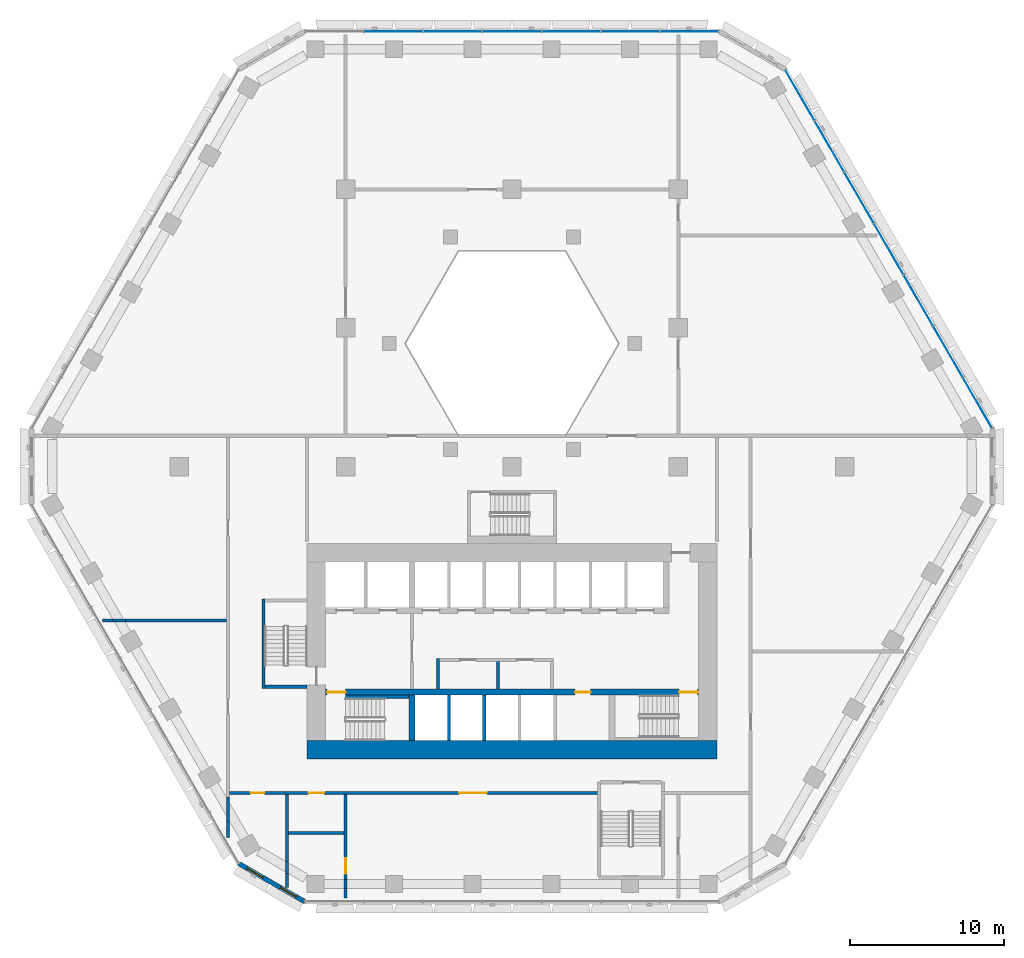
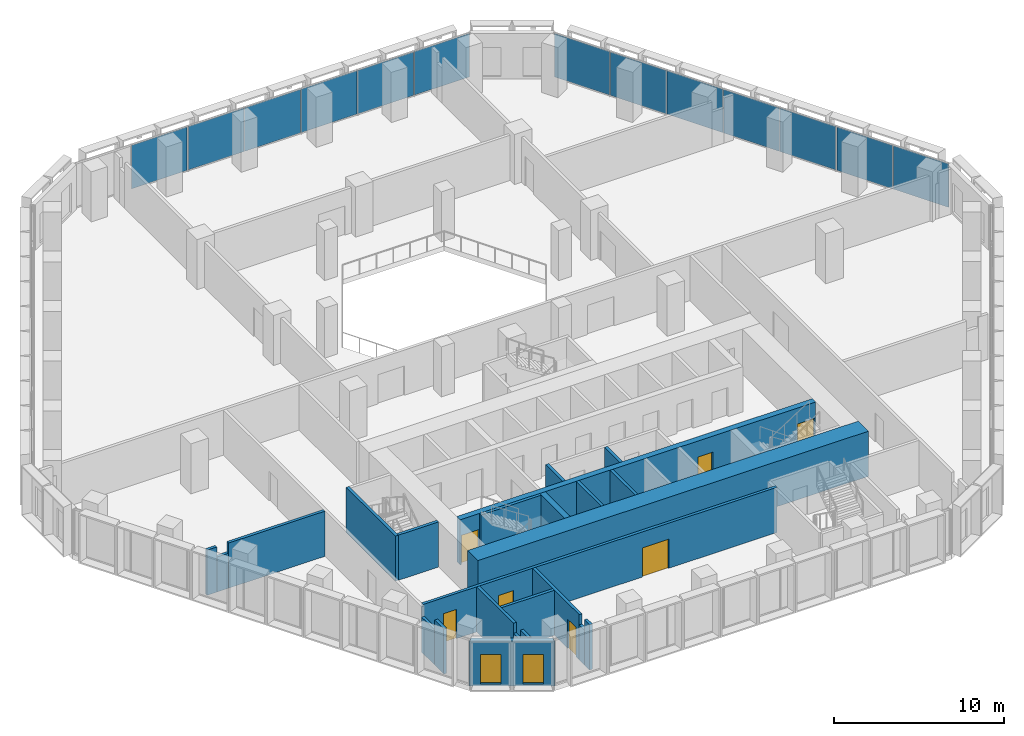
# One storey, part 11 of 25: 24 walls, 13 plates, 7 doors, 2 windows, 9 openings, 2 elements without a shape of their own.
"""IFC4 building model written with IfcOpenShell, lengths in metres."""

import ifcopenshell
import ifcopenshell.guid

model = None  # the IFC model being written
_history = None  # IfcOwnerHistory: only IFC2X3 demands one
_inside = {}  # id of a spatial element -> (the spatial element, [elements in it])
_under = {}  # id of a project, library or spatial element -> (it, [spatial elements below it])
_declared = {}  # id of a project -> (the project, [libraries it declares])
_typed = {}  # id of a type object -> (the type object, [elements of that type])
_made_of = {}  # id of a material, layer set ... -> (it, [elements and type objects made of it])


def new_model(schema):
    """Start an empty IFC model of exactly this schema.

    Asked for "IFC4X3", IfcOpenShell would pick the latest addendum, in which some entities
    have other attributes; the version numbers below select the first issue.
    IFC2X3 requires an IfcOwnerHistory on every rooted entity: one is made here for all.
    """
    global model, _history
    if schema == "IFC4X3":
        model = ifcopenshell.file(schema_version=(4, 3, 0, 0))
    else:
        model = ifcopenshell.file(schema=schema)
    _inside.clear()
    _under.clear()
    _declared.clear()
    _typed.clear()
    _made_of.clear()
    _history = None
    if model.schema == "IFC2X3":
        org = make("IfcOrganization", Name="unknown")
        user = make(
            "IfcPersonAndOrganization",
            ThePerson=make("IfcPerson", FamilyName="unknown"),
            TheOrganization=org,
        )
        app = make(
            "IfcApplication",
            ApplicationDeveloper=org,
            Version="unknown",
            ApplicationFullName="unknown",
            ApplicationIdentifier="unknown",
        )
        _history = make(
            "IfcOwnerHistory",
            OwningUser=user,
            OwningApplication=app,
            ChangeAction="ADDED",
            CreationDate=0,
        )
    return model


def make(cls, **values):
    """One entity of the class cls with the attributes given. An attribute that is None is left unset."""
    return model.create_entity(
        cls, **{name: value for name, value in values.items() if value is not None}
    )


def rooted(cls, **values):
    """An entity with a GlobalId (a new one), such as an element, a storey or a relation."""
    return make(cls, GlobalId=ifcopenshell.guid.new(), OwnerHistory=_history, **values)


def si_unit(unit_type, name, prefix=None):
    """IfcSIUnit, for example si_unit("LENGTHUNIT", "METRE", prefix="MILLI")."""
    return make("IfcSIUnit", UnitType=unit_type, Prefix=prefix, Name=name)


def assignment(units):
    """IfcUnitAssignment: the units of a project."""
    return None if units is None else make("IfcUnitAssignment", Units=units)


def point(xyz):
    """IfcCartesianPoint."""
    return None if xyz is None else make("IfcCartesianPoint", Coordinates=xyz)


def direction(xyz):
    """IfcDirection."""
    return None if xyz is None else make("IfcDirection", DirectionRatios=xyz)


def frame(location, z_axis=None, x_axis=None):
    """IfcAxis2Placement3D, a coordinate frame: its origin and axes. An axis left out is left unset."""
    return make(
        "IfcAxis2Placement3D",
        Location=point(location),
        Axis=direction(z_axis),
        RefDirection=direction(x_axis),
    )


def frame_2d(location, x_axis=None):
    """IfcAxis2Placement2D, a coordinate frame in the plane: its origin and x axis."""
    return make(
        "IfcAxis2Placement2D", Location=point(location), RefDirection=direction(x_axis)
    )


def origin():
    """The frame at (0, 0, 0) with its axes left unset."""
    return frame((0.0, 0.0, 0.0))


def origin_2d():
    """The frame at (0, 0) in the plane with its x axis left unset."""
    return frame_2d((0.0, 0.0))


def place(relative_to, where):
    """IfcLocalPlacement: puts the frame where relative to a parent placement (None: the world)."""
    return make(
        "IfcLocalPlacement", PlacementRelTo=relative_to, RelativePlacement=where
    )


def context(
    kind, dimensions, precision=None, world=None, true_north=None, identifier=None
):
    """IfcGeometricRepresentationContext, for example the 3D "Model" context."""
    return make(
        "IfcGeometricRepresentationContext",
        ContextIdentifier=identifier,
        ContextType=kind,
        CoordinateSpaceDimension=dimensions,
        Precision=precision,
        WorldCoordinateSystem=world,
        TrueNorth=true_north,
    )


def subcontext(parent, identifier, kind, view, scale=None):
    """IfcGeometricRepresentationSubContext, for example "Body" below "Model"."""
    return make(
        "IfcGeometricRepresentationSubContext",
        ContextIdentifier=identifier,
        ContextType=kind,
        ParentContext=parent,
        TargetScale=scale,
        TargetView=view,
    )


def project(units=None, contexts=None):
    """IfcProject with its units and contexts."""
    return rooted(
        "IfcProject",
        Name="project",
        RepresentationContexts=contexts,
        UnitsInContext=assignment(units),
    )


def spatial(cls, under=None, at=None, **own):
    """A site, building, storey or space (cls), placed at a placement, below another one or the project."""
    s = rooted(cls, ObjectPlacement=at, **own)
    if under is not None:
        _under.setdefault(under.id(), (under, []))[1].append(s)
    return s


def polyline(points):
    """IfcPolyline through the points."""
    return make("IfcPolyline", Points=[point(p) for p in points])


def profile(cls, at=None, kind="AREA", **sizes):
    """A parametric profile (cls). Its sizes go by their IFC names, for example OverallWidth=200.0."""
    return make(cls, ProfileType=kind, Position=at, **sizes)


def rectangle(**sizes):
    """IfcRectangleProfileDef."""
    return profile("IfcRectangleProfileDef", **sizes)


def outline(outer, holes=None, kind="AREA"):
    """IfcArbitraryClosedProfileDef: a profile drawn as a closed curve; with holes, ...WithVoids."""
    if holes is None:
        return make("IfcArbitraryClosedProfileDef", ProfileType=kind, OuterCurve=outer)
    return make(
        "IfcArbitraryProfileDefWithVoids",
        ProfileType=kind,
        OuterCurve=outer,
        InnerCurves=holes,
    )


def extrude(swept, where, along, depth):
    """IfcExtrudedAreaSolid: the profile swept, set in the frame where, extruded along a direction by depth."""
    return make(
        "IfcExtrudedAreaSolid",
        SweptArea=swept,
        Position=where,
        ExtrudedDirection=direction(along),
        Depth=depth,
    )


def shape(context_of_items, identifier, shape_type, items):
    """IfcShapeRepresentation: the items that make up one representation, for example the "Body"."""
    return make(
        "IfcShapeRepresentation",
        ContextOfItems=context_of_items,
        RepresentationIdentifier=identifier,
        RepresentationType=shape_type,
        Items=items,
    )


def material(Name=None, Category=None):
    """IfcMaterial."""
    return make("IfcMaterial", Name=Name, Category=Category)


def layer(
    of_material, thickness, ventilated=None, Name=None, Category=None, Priority=None
):
    """IfcMaterialLayer: one layer of a wall or slab, of a material (None: an air gap)."""
    return make(
        "IfcMaterialLayer",
        Material=of_material,
        LayerThickness=thickness,
        IsVentilated=ventilated,
        Name=Name,
        Category=Category,
        Priority=Priority,
    )


def layer_set(layers, Name=None):
    """IfcMaterialLayerSet."""
    return make("IfcMaterialLayerSet", MaterialLayers=layers, LayerSetName=Name)


def made_of(thing, what):
    """Note that an element or type object is made of a material, layer set ...; save() writes the relation."""
    if what is not None:
        _made_of.setdefault(what.id(), (what, []))[1].append(thing)
    return thing


def type_object(cls, material=None, **own):
    """A type object (cls), such as IfcWallType, which elements share."""
    return made_of(rooted(cls, **own), material)


def element(
    cls,
    number,
    at=None,
    inside=None,
    cuts=None,
    type_object=None,
    material=None,
    context=None,
    identifier="Body",
    shape_type=None,
    held_by="IfcProductDefinitionShape",
    body=None,
    shapes=None,
    **own,
):
    """One element of the class cls, such as IfcWall. Its Tag is "e" and its number.

    at: its placement. inside: the storey or other place that contains it. cuts: it is an
    opening in that element (IfcRelVoidsElement). A single representation is given by context,
    identifier, shape_type and body (its items); several are given by shapes. held_by: the class
    of the entity that holds the representations. save() writes the other relations.
    """
    e = rooted(cls, Tag="e%d" % number, ObjectPlacement=at, **own)
    if body is not None:
        shapes = [shape(context, identifier, shape_type, body)]
    if shapes is not None:
        e.Representation = make(held_by, Representations=shapes)
    if inside is not None:
        _inside.setdefault(inside.id(), (inside, []))[1].append(e)
    if cuts is not None:
        rooted(
            "IfcRelVoidsElement", RelatingBuildingElement=cuts, RelatedOpeningElement=e
        )
    if type_object is not None:
        _typed.setdefault(type_object.id(), (type_object, []))[1].append(e)
    return made_of(e, material)


def fill(opening, filler):
    """IfcRelFillsElement: the door or window that sits in an opening."""
    return rooted(
        "IfcRelFillsElement",
        RelatingOpeningElement=opening,
        RelatedBuildingElement=filler,
    )


def aggregate(whole, parts):
    """IfcRelAggregates: a whole, such as a stair, and the parts it consists of."""
    return rooted("IfcRelAggregates", RelatingObject=whole, RelatedObjects=parts)


def save(model, path):
    """Write the relations noted so far, then the file.

    IfcRelAggregates (storeys below a building ...), IfcRelContainedInSpatialStructure (elements
    in a storey), IfcRelDefinesByType, IfcRelAssociatesMaterial and IfcRelDeclares: one each for
    every whole, place, type object, material and project.
    """
    for whole, parts in _under.values():
        aggregate(whole, parts)
    for where, things in _inside.values():
        rooted(
            "IfcRelContainedInSpatialStructure",
            RelatedElements=things,
            RelatingStructure=where,
        )
    for kind, things in _typed.values():
        rooted("IfcRelDefinesByType", RelatedObjects=things, RelatingType=kind)
    for what, things in _made_of.values():
        rooted("IfcRelAssociatesMaterial", RelatedObjects=things, RelatingMaterial=what)
    for by, libraries in _declared.values():
        rooted("IfcRelDeclares", RelatingContext=by, RelatedDefinitions=libraries)
    model.write(path)


model = new_model("IFC4")

# Units and contexts
model_context = context("Model", 3, precision=1e-05, world=origin(), true_north=direction((0.0, 1.0)))
body_context = subcontext(model_context, "Body", "Model", "MODEL_VIEW")
ifc_project = project(units=[si_unit("LENGTHUNIT", "METRE"), si_unit("AREAUNIT", "SQUARE_METRE"), si_unit("VOLUMEUNIT", "CUBIC_METRE"), si_unit("PLANEANGLEUNIT", "RADIAN"), si_unit("MASSUNIT", "GRAM", prefix="KILO")], contexts=[model_context])

# Site, building, storey
site_placement = place(None, origin())
site = spatial("IfcSite", under=ifc_project, at=site_placement, CompositionType="ELEMENT")
building_placement = place(site_placement, origin())
building = spatial("IfcBuilding", under=site, at=building_placement, Name="Beryl Residences", CompositionType="ELEMENT")
storey_placement = place(building_placement, frame((0.0, 0.0, 16.199951171875)))
storey = spatial("IfcBuildingStorey", under=building, at=storey_placement, Name="L04", CompositionType="ELEMENT", Elevation=16.199951171875)

# Curtain wall, plates
ifc_material_1 = material(Name="Aluminium and clear glass", Category="aluminium")
curtain_wall_type = type_object("IfcCurtainWallType", Name="CW2 amenity glazing glazed wall", PredefinedType="NOTDEFINED", material=ifc_material_1)
curtain_wall_1_placement = place(storey_placement, origin())
curtain_wall_1 = element("IfcCurtainWall", 1, at=curtain_wall_1_placement, inside=storey, type_object=curtain_wall_type, Name="CW2 L04 N", PredefinedType="NOTDEFINED")
ifc_material_2 = material(Name="Clear laminated glass", Category="glass")
ifc_layer_1 = layer(ifc_material_2, 0.028076171875)
ifc_layer_set_1 = layer_set([ifc_layer_1], Name="CW2-P glazing panel 28 mm")
plate_type = type_object("IfcPlateType", Name="CW2-P glazing panel 28 mm", PredefinedType="CURTAIN_PANEL", material=ifc_layer_set_1)
plate_1_placement = place(storey_placement, frame((11.53076171875, 28.25, 0.06005859375), z_axis=(0.0, 0.0, 1.0), x_axis=(-1.0, 0.0, 0.0)))
plate_1 = element("IfcPlate", 2, at=plate_1_placement, type_object=plate_type, Name="CW2 panel 1.1", PredefinedType="CURTAIN_PANEL", context=body_context, shape_type="SweptSolid", body=[
    extrude(rectangle(XDim=3.758544921875, YDim=0.028076171875, at=origin_2d()), origin(), (0.0, 0.0, 1.0), 3.1298828125),
])
plate_2_placement = place(storey_placement, frame((7.697021484375, 28.25, 0.06005859375), z_axis=(0.0, 0.0, 1.0), x_axis=(-1.0, 0.0, 0.0)))
plate_2 = element("IfcPlate", 3, at=plate_2_placement, type_object=plate_type, Name="CW2 panel 2.1", PredefinedType="CURTAIN_PANEL", context=body_context, shape_type="SweptSolid", body=[
    extrude(rectangle(XDim=3.78857421875, YDim=0.028076171875, at=origin_2d()), origin(), (0.0, 0.0, 1.0), 3.1298828125),
])
plate_3_placement = place(storey_placement, frame((3.8486328125, 28.25, 0.06005859375), z_axis=(0.0, 0.0, 1.0), x_axis=(-1.0, 0.0, 0.0)))
plate_3 = element("IfcPlate", 4, at=plate_3_placement, type_object=plate_type, Name="CW2 panel 3.1", PredefinedType="CURTAIN_PANEL", context=body_context, shape_type="SweptSolid", body=[
    extrude(rectangle(XDim=3.78857421875, YDim=0.028076171875, at=origin_2d()), origin(), (0.0, 0.0, 1.0), 3.1298828125),
])
plate_4_placement = place(storey_placement, frame((0.0, 28.25, 0.06005859375), z_axis=(0.0, 0.0, 1.0), x_axis=(-1.0, 0.0, 0.0)))
plate_4 = element("IfcPlate", 5, at=plate_4_placement, type_object=plate_type, Name="CW2 panel 4.1", PredefinedType="CURTAIN_PANEL", context=body_context, shape_type="SweptSolid", body=[
    extrude(rectangle(XDim=3.78857421875, YDim=0.028076171875, at=origin_2d()), origin(), (0.0, 0.0, 1.0), 3.1298828125),
])
plate_5_placement = place(storey_placement, frame((-3.8486328125, 28.25, 0.06005859375), z_axis=(0.0, 0.0, 1.0), x_axis=(-1.0, 0.0, 0.0)))
plate_5 = element("IfcPlate", 6, at=plate_5_placement, type_object=plate_type, Name="CW2 panel 5.1", PredefinedType="CURTAIN_PANEL", context=body_context, shape_type="SweptSolid", body=[
    extrude(rectangle(XDim=3.78857421875, YDim=0.028076171875, at=origin_2d()), origin(), (0.0, 0.0, 1.0), 3.1298828125),
])
plate_6_placement = place(storey_placement, frame((-7.697021484375, 28.25, 0.06005859375), z_axis=(0.0, 0.0, 1.0), x_axis=(-1.0, 0.0, 0.0)))
plate_6 = element("IfcPlate", 7, at=plate_6_placement, type_object=plate_type, Name="CW2 panel 6.1", PredefinedType="CURTAIN_PANEL", context=body_context, shape_type="SweptSolid", body=[
    extrude(rectangle(XDim=3.78857421875, YDim=0.028076171875, at=origin_2d()), origin(), (0.0, 0.0, 1.0), 3.1298828125),
])
aggregate(curtain_wall_1, [plate_1, plate_2, plate_3, plate_4, plate_5, plate_6])

curtain_wall_2_placement = place(storey_placement, origin())
curtain_wall_2 = element("IfcCurtainWall", 8, at=curtain_wall_2_placement, inside=storey, type_object=curtain_wall_type, Name="CW2 L04 NE", PredefinedType="NOTDEFINED")
plate_7_placement = place(storey_placement, frame((30.23046875, 4.139404296875, 0.06005859375), z_axis=(0.0, 0.0, 1.0), x_axis=(-0.500011643322, 0.866018681405, 0.0)))
plate_7 = element("IfcPlate", 9, at=plate_7_placement, type_object=plate_type, Name="CW2 panel 1.1", PredefinedType="CURTAIN_PANEL", context=body_context, shape_type="SweptSolid", body=[
    extrude(rectangle(XDim=3.758544921875, YDim=0.028076171875, at=origin_2d()), origin(), (0.0, 0.0, 1.0), 3.1298828125),
])
plate_8_placement = place(storey_placement, frame((28.3134765625, 7.459228515625, 0.06005859375), z_axis=(0.0, 0.0, 1.0), x_axis=(-0.500011643322, 0.866018681405, 0.0)))
plate_8 = element("IfcPlate", 10, at=plate_8_placement, type_object=plate_type, Name="CW2 panel 2.1", PredefinedType="CURTAIN_PANEL", context=body_context, shape_type="SweptSolid", body=[
    extrude(rectangle(XDim=3.78857421875, YDim=0.028076171875, at=origin_2d()), origin(), (0.0, 0.0, 1.0), 3.1298828125),
])
plate_9_placement = place(storey_placement, frame((26.389404296875, 10.792236328125, 0.06005859375), z_axis=(0.0, 0.0, 1.0), x_axis=(-0.500011643322, 0.866018681405, 0.0)))
plate_9 = element("IfcPlate", 11, at=plate_9_placement, type_object=plate_type, Name="CW2 panel 3.1", PredefinedType="CURTAIN_PANEL", context=body_context, shape_type="SweptSolid", body=[
    extrude(rectangle(XDim=3.78857421875, YDim=0.028076171875, at=origin_2d()), origin(), (0.0, 0.0, 1.0), 3.1298828125),
])
plate_10_placement = place(storey_placement, frame((24.465087890625, 14.125, 0.06005859375), z_axis=(0.0, 0.0, 1.0), x_axis=(-0.500011643322, 0.866018681405, 0.0)))
plate_10 = element("IfcPlate", 12, at=plate_10_placement, type_object=plate_type, Name="CW2 panel 4.1", PredefinedType="CURTAIN_PANEL", context=body_context, shape_type="SweptSolid", body=[
    extrude(rectangle(XDim=3.78857421875, YDim=0.028076171875, at=origin_2d()), origin(), (0.0, 0.0, 1.0), 3.1298828125),
])
plate_11_placement = place(storey_placement, frame((22.540771484375, 17.457763671875, 0.06005859375), z_axis=(0.0, 0.0, 1.0), x_axis=(-0.500011643322, 0.866018681405, 0.0)))
plate_11 = element("IfcPlate", 13, at=plate_11_placement, type_object=plate_type, Name="CW2 panel 5.1", PredefinedType="CURTAIN_PANEL", context=body_context, shape_type="SweptSolid", body=[
    extrude(rectangle(XDim=3.78857421875, YDim=0.028076171875, at=origin_2d()), origin(), (0.0, 0.0, 1.0), 3.1298828125),
])
plate_12_placement = place(storey_placement, frame((20.616455078125, 20.790771484375, 0.06005859375), z_axis=(0.0, 0.0, 1.0), x_axis=(-0.500011643322, 0.866018681405, 0.0)))
plate_12 = element("IfcPlate", 14, at=plate_12_placement, type_object=plate_type, Name="CW2 panel 6.1", PredefinedType="CURTAIN_PANEL", context=body_context, shape_type="SweptSolid", body=[
    extrude(rectangle(XDim=3.78857421875, YDim=0.028076171875, at=origin_2d()), origin(), (0.0, 0.0, 1.0), 3.1298828125),
])
plate_13_placement = place(storey_placement, frame((18.69970703125, 24.110595703125, 0.06005859375), z_axis=(0.0, 0.0, 1.0), x_axis=(-0.500011643322, 0.866018681405, 0.0)))
plate_13 = element("IfcPlate", 15, at=plate_13_placement, type_object=plate_type, Name="CW2 panel 7.1", PredefinedType="CURTAIN_PANEL", context=body_context, shape_type="SweptSolid", body=[
    extrude(rectangle(XDim=3.758544921875, YDim=0.028076171875, at=origin_2d()), origin(), (0.0, 0.0, 1.0), 3.1298828125),
])
aggregate(curtain_wall_2, [plate_7, plate_8, plate_9, plate_10, plate_11, plate_12, plate_13])

# Wall, openings, windows
ifc_material_3 = material(Name="Composite metal panel with mineral wool insulation")
ifc_layer_2 = layer(ifc_material_3, 0.300048828125)
ifc_layer_set_2 = layer_set([ifc_layer_2], Name="ES1 pale metal composite panel wall 300 mm")
wall_type_1 = type_object("IfcWallType", Name="ES1 pale metal composite panel wall 300 mm", PredefinedType="SOLIDWALL", material=ifc_layer_set_2)
wall_1_placement = place(storey_placement, frame((-17.764892578125, -25.77001953125, 0.0), z_axis=(0.0, 0.0, 1.0), x_axis=(0.866010750942, -0.50002537861, 0.0)))
wall_1 = element("IfcWall", 16, at=wall_1_placement, inside=storey, type_object=wall_type_1, Name="ES1 external wall L04 SW-S", PredefinedType="SOLIDWALL", context=body_context, shape_type="SweptSolid", body=[
    extrude(outline(polyline([(0.0, -0.14990234375), (4.999755859375, -0.14990234375), (4.91943359375, 0.14990234375), (0.080322265625, 0.14990234375), (0.0, -0.14990234375)])), origin(), (0.0, 0.0, 1.0), 3.25),
])
opening_1_placement = place(wall_1_placement, frame((0.64990234375, 0.0, 0.14990234375)))
opening_1 = element("IfcOpeningElement", 17, at=opening_1_placement, cuts=wall_1, Name="Opening W2", PredefinedType="OPENING", context=body_context, shape_type="SweptSolid", body=[
    extrude(rectangle(XDim=1.199951171875, YDim=2.10009765625, at=frame_2d((0.60009765625, 1.050048828125))), frame((0.0, 0.159912109375, 0.0), z_axis=(0.0, -1.0, 0.0), x_axis=(1.0, 0.0, 0.0)), (0.0, 0.0, 1.0), 0.320068359375),
])
opening_2_placement = place(wall_1_placement, frame((3.14990234375, 0.0, 0.14990234375)))
opening_2 = element("IfcOpeningElement", 18, at=opening_2_placement, cuts=wall_1, Name="Opening W2", PredefinedType="OPENING", context=body_context, shape_type="SweptSolid", body=[
    extrude(rectangle(XDim=1.199951171875, YDim=2.10009765625, at=frame_2d((0.60009765625, 1.050048828125))), frame((0.0, 0.159912109375, 0.0), z_axis=(0.0, -1.0, 0.0), x_axis=(1.0, 0.0, 0.0)), (0.0, 0.0, 1.0), 0.320068359375),
])
ifc_material_4 = material(Name="Aluminium and clear glass", Category="aluminium")
window_type = type_object("IfcWindowType", Name="W2 chamfer window 1200 x 2100 mm", PartitioningType="SINGLE_PANEL", PredefinedType="WINDOW", material=ifc_material_4)
window_1_placement = place(opening_1_placement, origin())
window_1 = element("IfcWindow", 19, at=window_1_placement, inside=storey, type_object=window_type, Name="W2 window L04 SW-S 1", OverallHeight=2.10009765625, OverallWidth=1.199951171875, PartitioningType="SINGLE_PANEL", PredefinedType="WINDOW", context=body_context, shape_type="SweptSolid", body=[
    extrude(rectangle(XDim=1.199951171875, YDim=2.10009765625, at=frame_2d((0.60009765625, 1.050048828125))), frame((0.0, 0.030029296875, 0.0), z_axis=(0.0, -1.0, 0.0), x_axis=(1.0, 0.0, 0.0)), (0.0, 0.0, 1.0), 0.06005859375),
])
fill(opening_1, window_1)
window_2_placement = place(opening_2_placement, origin())
window_2 = element("IfcWindow", 20, at=window_2_placement, inside=storey, type_object=window_type, Name="W2 window L04 SW-S 2", OverallHeight=2.10009765625, OverallWidth=1.199951171875, PartitioningType="SINGLE_PANEL", PredefinedType="WINDOW", context=body_context, shape_type="SweptSolid", body=[
    extrude(rectangle(XDim=1.199951171875, YDim=2.10009765625, at=frame_2d((0.60009765625, 1.050048828125))), frame((0.0, 0.030029296875, 0.0), z_axis=(0.0, -1.0, 0.0), x_axis=(1.0, 0.0, 0.0)), (0.0, 0.0, 1.0), 0.06005859375),
])
fill(opening_2, window_2)

# Wall
ifc_material_5 = material(Name="Concrete masonry", Category="masonry")
ifc_layer_3 = layer(ifc_material_5, 0.199951171875)
ifc_layer_set_3 = layer_set([ifc_layer_3], Name="PT13 lobby wall 200 mm")
wall_type_2 = type_object("IfcWallType", Name="PT13 lobby wall 200 mm", PredefinedType="PARTITIONING", material=ifc_layer_set_3)
wall_2_placement = place(storey_placement, frame((-4.800048828125, -14.449951171875, 0.0), z_axis=(0.0, 0.0, 1.0), x_axis=(0.0, 1.0, 0.0)))
element("IfcWall", 21, at=wall_2_placement, inside=storey, type_object=wall_type_2, Name="Lobby wall 07", PredefinedType="PARTITIONING", context=body_context, shape_type="SweptSolid", body=[
    extrude(rectangle(XDim=2.0, YDim=0.199951171875, at=frame_2d((1.0, 0.0))), origin(), (0.0, 0.0, 1.0), 3.25),
])

# Wall, openings, doors
ifc_material_6 = material(Name="Double stud gypsum board wall")
ifc_layer_4 = layer(ifc_material_6, 0.199951171875)
ifc_layer_set_4 = layer_set([ifc_layer_4], Name="PT4 corridor wall 200 mm double stud")
wall_type_3 = type_object("IfcWallType", Name="PT4 corridor wall 200 mm double stud", PredefinedType="PARTITIONING", material=ifc_layer_set_4)
wall_3_placement = place(storey_placement, frame((-18.35009765625, -21.199951171875, 0.0), z_axis=(0.0, 0.0, 1.0), x_axis=(1.0, 0.0, 0.0)))
wall_3 = element("IfcWall", 22, at=wall_3_placement, inside=storey, type_object=wall_type_3, Name="Wall PT4 L04 001", PredefinedType="PARTITIONING", context=body_context, shape_type="SweptSolid", body=[
    extrude(rectangle(XDim=24.10009765625, YDim=0.199951171875, at=frame_2d((12.050048828125, 0.0))), origin(), (0.0, 0.0, 1.0), 3.25),
])
opening_3_placement = place(wall_3_placement, frame((2.27685546875, 0.0, 0.0), z_axis=(0.0, 0.0, 1.0), x_axis=(-1.0, 0.0, 0.0)))
opening_3 = element("IfcOpeningElement", 23, at=opening_3_placement, cuts=wall_3, Name="Opening L04-01", PredefinedType="OPENING", context=body_context, shape_type="SweptSolid", body=[
    extrude(rectangle(XDim=0.89990234375, YDim=2.10009765625, at=frame_2d((0.449951171875, 1.050048828125))), frame((0.0, 0.10986328125, 0.0), z_axis=(0.0, -1.0, 0.0), x_axis=(1.0, 0.0, 0.0)), (0.0, 0.0, 1.0), 0.219970703125),
])
opening_4_placement = place(wall_3_placement, frame((6.14990234375, 0.0, 0.0), z_axis=(0.0, 0.0, 1.0), x_axis=(-1.0, 0.0, 0.0)))
opening_4 = element("IfcOpeningElement", 24, at=opening_4_placement, cuts=wall_3, Name="Opening L04-02", PredefinedType="OPENING", context=body_context, shape_type="SweptSolid", body=[
    extrude(rectangle(XDim=1.0, YDim=2.10009765625, at=frame_2d((0.5, 1.050048828125))), frame((0.0, 0.10986328125, 0.0), z_axis=(0.0, -1.0, 0.0), x_axis=(1.0, 0.0, 0.0)), (0.0, 0.0, 1.0), 0.219970703125),
])
opening_5_placement = place(wall_3_placement, frame((14.923095703125, 0.0, 0.0)))
opening_5 = element("IfcOpeningElement", 25, at=opening_5_placement, cuts=wall_3, Name="Opening L04-16", PredefinedType="OPENING", context=body_context, shape_type="SweptSolid", body=[
    extrude(rectangle(XDim=1.800048828125, YDim=2.10009765625, at=frame_2d((0.89990234375, 1.050048828125))), frame((0.0, 0.10986328125, 0.0), z_axis=(0.0, -1.0, 0.0), x_axis=(1.0, 0.0, 0.0)), (0.0, 0.0, 1.0), 0.219970703125),
])
ifc_material_7 = material(Name="Timber door leaf", Category="wood")
door_type_1 = type_object("IfcDoorType", Name="D19 room door 1000 x 2100 mm", OperationType="SINGLE_SWING_LEFT", PredefinedType="DOOR", material=ifc_material_7)
door_1_placement = place(opening_4_placement, origin())
door_1 = element("IfcDoor", 26, at=door_1_placement, inside=storey, type_object=door_type_1, Name="Door L04-02 L04 001", OperationType="SINGLE_SWING_LEFT", OverallHeight=2.10009765625, OverallWidth=1.0, PredefinedType="DOOR", context=body_context, shape_type="SweptSolid", body=[
    extrude(rectangle(XDim=1.0, YDim=2.10009765625, at=frame_2d((0.5, 1.050048828125))), frame((0.0, 0.02490234375, 0.0), z_axis=(0.0, -1.0, 0.0), x_axis=(1.0, 0.0, 0.0)), (0.0, 0.0, 1.0), 0.050048828125),
])
fill(opening_4, door_1)
ifc_material_8 = material(Name="Timber door leaf", Category="wood")
door_type_2 = type_object("IfcDoorType", Name="D2 room door 900 x 2100 mm", OperationType="SINGLE_SWING_LEFT", PredefinedType="DOOR", material=ifc_material_8)
door_2_placement = place(opening_3_placement, origin())
door_2 = element("IfcDoor", 27, at=door_2_placement, inside=storey, type_object=door_type_2, Name="Door L04-01 L04 001", OperationType="SINGLE_SWING_RIGHT", OverallHeight=2.10009765625, OverallWidth=0.89990234375, PredefinedType="DOOR", context=body_context, shape_type="SweptSolid", body=[
    extrude(rectangle(XDim=0.89990234375, YDim=2.10009765625, at=frame_2d((0.449951171875, 1.050048828125))), frame((0.0, 0.02490234375, 0.0), z_axis=(0.0, -1.0, 0.0), x_axis=(1.0, 0.0, 0.0)), (0.0, 0.0, 1.0), 0.050048828125),
])
fill(opening_3, door_2)
ifc_material_9 = material(Name="Timber door leaf", Category="wood")
door_type_3 = type_object("IfcDoorType", Name="D20 corridor door 1800 x 2100 mm", OperationType="DOUBLE_DOOR_SINGLE_SWING", PredefinedType="DOOR", material=ifc_material_9)
door_3_placement = place(opening_5_placement, origin())
door_3 = element("IfcDoor", 28, at=door_3_placement, inside=storey, type_object=door_type_3, Name="Door L04-16 L04 001", OperationType="DOUBLE_DOOR_SINGLE_SWING", OverallHeight=2.10009765625, OverallWidth=1.800048828125, PredefinedType="DOOR", context=body_context, shape_type="SweptSolid", body=[
    extrude(rectangle(XDim=1.800048828125, YDim=2.10009765625, at=frame_2d((0.89990234375, 1.050048828125))), frame((0.0, 0.02490234375, 0.0), z_axis=(0.0, -1.0, 0.0), x_axis=(1.0, 0.0, 0.0)), (0.0, 0.0, 1.0), 0.050048828125),
])
fill(opening_5, door_3)

# Walls
wall_4_placement = place(storey_placement, frame((-26.5810546875, -10.0, 0.0), z_axis=(0.0, 0.0, 1.0), x_axis=(1.0, 0.0, 0.0)))
element("IfcWall", 29, at=wall_4_placement, inside=storey, type_object=wall_type_3, Name="Wall PT4 L04 005", PredefinedType="PARTITIONING", context=body_context, shape_type="SweptSolid", body=[
    extrude(rectangle(XDim=0.657958984375, YDim=0.199951171875, at=frame_2d((0.3291015625, 0.0))), origin(), (0.0, 0.0, 1.0), 3.25),
])
wall_5_placement = place(storey_placement, frame((-25.923095703125, -10.0, 0.0), z_axis=(0.0, 0.0, 1.0), x_axis=(1.0, 0.0, 0.0)))
element("IfcWall", 30, at=wall_5_placement, inside=storey, type_object=wall_type_3, Name="Wall PT4 L04 006", PredefinedType="PARTITIONING", context=body_context, shape_type="SweptSolid", body=[
    extrude(rectangle(XDim=0.80810546875, YDim=0.199951171875, at=frame_2d((0.404052734375, 0.0))), origin(), (0.0, 0.0, 1.0), 2.52001953125),
])
wall_6_placement = place(storey_placement, frame((-25.114990234375, -10.0, 0.0), z_axis=(0.0, 0.0, 1.0), x_axis=(1.0, 0.0, 0.0)))
element("IfcWall", 31, at=wall_6_placement, inside=storey, type_object=wall_type_3, Name="Wall PT4 L04 007", PredefinedType="PARTITIONING", context=body_context, shape_type="SweptSolid", body=[
    extrude(rectangle(XDim=6.56494140625, YDim=0.199951171875, at=frame_2d((3.282470703125, 0.0))), origin(), (0.0, 0.0, 1.0), 3.25),
])
wall_7_placement = place(storey_placement, frame((-18.449951171875, -24.08203125, 0.0), z_axis=(0.0, 0.0, 1.0), x_axis=(0.0, 1.0, 0.0)))
element("IfcWall", 32, at=wall_7_placement, inside=storey, type_object=wall_type_3, Name="Wall PT4 L04 017", PredefinedType="PARTITIONING", context=body_context, shape_type="SweptSolid", body=[
    extrude(rectangle(XDim=1.06494140625, YDim=0.199951171875, at=frame_2d((0.532470703125, 0.0))), origin(), (0.0, 0.0, 1.0), 3.25),
])
wall_8_placement = place(storey_placement, frame((-18.449951171875, -23.01708984375, 0.0), z_axis=(0.0, 0.0, 1.0), x_axis=(0.0, 1.0, 0.0)))
element("IfcWall", 33, at=wall_8_placement, inside=storey, type_object=wall_type_3, Name="Wall PT4 L04 018", PredefinedType="PARTITIONING", context=body_context, shape_type="SweptSolid", body=[
    extrude(rectangle(XDim=1.546142578125, YDim=0.199951171875, at=frame_2d((0.77294921875, 0.0))), origin(), (0.0, 0.0, 1.0), 2.52001953125),
])
ifc_material_10 = material(Name="Concrete C40/50", Category="concrete")
ifc_layer_5 = layer(ifc_material_10, 0.199951171875)
ifc_layer_set_5 = layer_set([ifc_layer_5], Name="PT5 stair enclosure wall 200 mm reinforced concrete C40/50")
wall_type_4 = type_object("IfcWallType", Name="PT5 stair enclosure wall 200 mm reinforced concrete C40/50", PredefinedType="SOLIDWALL", material=ifc_layer_set_5)
wall_9_placement = place(storey_placement, frame((-16.14990234375, -14.39990234375, 0.0), z_axis=(0.0, 0.0, 1.0), x_axis=(0.0, 1.0, 0.0)))
element("IfcWall", 34, at=wall_9_placement, inside=storey, type_object=wall_type_4, Name="Stair wall 01", PredefinedType="SOLIDWALL", context=body_context, shape_type="SweptSolid", body=[
    extrude(rectangle(XDim=5.7998046875, YDim=0.199951171875, at=frame_2d((2.89990234375, 0.0))), origin(), (0.0, 0.0, 1.0), 3.25),
])
wall_10_placement = place(storey_placement, frame((-16.050048828125, -14.300048828125, 0.0), z_axis=(0.0, 0.0, 1.0), x_axis=(1.0, 0.0, 0.0)))
element("IfcWall", 35, at=wall_10_placement, inside=storey, type_object=wall_type_4, Name="Stair wall 02", PredefinedType="SOLIDWALL", context=body_context, shape_type="SweptSolid", body=[
    extrude(rectangle(XDim=2.75, YDim=0.199951171875, at=frame_2d((1.375, 0.0))), origin(), (0.0, 0.0, 1.0), 3.25),
])
wall_11_placement = place(storey_placement, frame((-10.800048828125, -14.949951171875, 0.0), z_axis=(0.0, 0.0, 1.0), x_axis=(1.0, 0.0, 0.0)))
element("IfcWall", 36, at=wall_11_placement, inside=storey, type_object=wall_type_4, Name="Stair wall 04", PredefinedType="SOLIDWALL", context=body_context, shape_type="SweptSolid", body=[
    extrude(rectangle(XDim=4.10009765625, YDim=0.199951171875, at=frame_2d((2.050048828125, 0.0))), origin(), (0.0, 0.0, 1.0), 3.25),
])
ifc_material_11 = material(Name="Concrete C40/50", Category="concrete")
ifc_layer_6 = layer(ifc_material_11, 0.199951171875)
ifc_layer_set_6 = layer_set([ifc_layer_6], Name="PT6 lift shaft wall 200 mm reinforced concrete C40/50")
wall_type_5 = type_object("IfcWallType", Name="PT6 lift shaft wall 200 mm reinforced concrete C40/50", PredefinedType="SOLIDWALL", material=ifc_layer_set_6)
for number, where, z_axis, x_axis, name in (
    (37, (-4.10009765625, -17.800048828125, 0.0), (0.0, 0.0, 1.0), (0.0, 1.0, 0.0), "Lift shaft wall 09"),
    (38, (-1.800048828125, -17.800048828125, 0.0), (0.0, 0.0, 1.0), (0.0, 1.0, 0.0), "Lift shaft wall 11"),
):
    element("IfcWall", number, at=place(storey_placement, frame(where, z_axis=z_axis, x_axis=x_axis)), inside=storey, type_object=wall_type_5, Name=name, PredefinedType="SOLIDWALL", context=body_context, shape_type="SweptSolid", body=[
        extrude(rectangle(XDim=2.949951171875, YDim=0.199951171875, at=frame_2d((1.47509765625, 0.0))), origin(), (0.0, 0.0, 1.0), 3.25),
    ])
ifc_material_12 = material(Name="Concrete masonry", Category="masonry")
ifc_layer_7 = layer(ifc_material_12, 0.199951171875)
ifc_layer_set_7 = layer_set([ifc_layer_7], Name="PT8-200 service room wall 200 mm")
wall_type_6 = type_object("IfcWallType", Name="PT8-200 service room wall 200 mm", PredefinedType="PARTITIONING", material=ifc_layer_set_7)
wall_12_placement = place(storey_placement, frame((-14.5, -23.800048828125, 0.0), z_axis=(0.0, 0.0, 1.0), x_axis=(1.0, 0.0, 0.0)))
element("IfcWall", 39, at=wall_12_placement, inside=storey, type_object=wall_type_6, Name="Wall PT8-200 L04 001", PredefinedType="PARTITIONING", context=body_context, shape_type="SweptSolid", body=[
    extrude(rectangle(XDim=3.60009765625, YDim=0.199951171875, at=frame_2d((1.800048828125, 0.0))), origin(), (0.0, 0.0, 1.0), 3.25),
])
wall_13_placement = place(storey_placement, frame((-14.60009765625, -27.33203125, 0.0), z_axis=(0.0, 0.0, 1.0), x_axis=(0.0, 1.0, 0.0)))
element("IfcWall", 40, at=wall_13_placement, inside=storey, type_object=wall_type_6, Name="Wall PT8-200 L04 003", PredefinedType="PARTITIONING", context=body_context, shape_type="SweptSolid", body=[
    extrude(rectangle(XDim=0.89013671875, YDim=0.199951171875, at=frame_2d((0.445068359375, 0.0))), origin(), (0.0, 0.0, 1.0), 3.25),
])
wall_14_placement = place(storey_placement, frame((-14.60009765625, -26.44189453125, 0.0), z_axis=(0.0, 0.0, 1.0), x_axis=(0.0, 1.0, 0.0)))
element("IfcWall", 41, at=wall_14_placement, inside=storey, type_object=wall_type_6, Name="Wall PT8-200 L04 004", PredefinedType="PARTITIONING", context=body_context, shape_type="SweptSolid", body=[
    extrude(rectangle(XDim=0.808837890625, YDim=0.199951171875, at=frame_2d((0.404296875, 0.0))), origin(), (0.0, 0.0, 1.0), 2.52001953125),
])
wall_15_placement = place(storey_placement, frame((-14.60009765625, -25.633056640625, 0.0), z_axis=(0.0, 0.0, 1.0), x_axis=(0.0, 1.0, 0.0)))
element("IfcWall", 42, at=wall_15_placement, inside=storey, type_object=wall_type_6, Name="Wall PT8-200 L04 005", PredefinedType="PARTITIONING", context=body_context, shape_type="SweptSolid", body=[
    extrude(rectangle(XDim=4.3330078125, YDim=0.199951171875, at=frame_2d((2.16650390625, 0.0))), origin(), (0.0, 0.0, 1.0), 3.25),
])
wall_16_placement = place(storey_placement, frame((-10.800048828125, -28.02001953125, 0.0), z_axis=(0.0, 0.0, 1.0), x_axis=(0.0, 1.0, 0.0)))
element("IfcWall", 43, at=wall_16_placement, inside=storey, type_object=wall_type_6, Name="Wall PT8-200 L04 006", PredefinedType="PARTITIONING", context=body_context, shape_type="SweptSolid", body=[
    extrude(rectangle(XDim=0.6201171875, YDim=0.199951171875, at=frame_2d((0.31005859375, 0.0))), origin(), (0.0, 0.0, 1.0), 3.25),
])
wall_17_placement = place(storey_placement, frame((-10.800048828125, -27.39990234375, 0.0), z_axis=(0.0, 0.0, 1.0), x_axis=(0.0, 1.0, 0.0)))
element("IfcWall", 44, at=wall_17_placement, inside=storey, type_object=wall_type_6, Name="Wall PT8-200 L04 007", PredefinedType="PARTITIONING", context=body_context, shape_type="SweptSolid", body=[
    extrude(rectangle(XDim=0.599853515625, YDim=0.199951171875, at=frame_2d((0.2998046875, 0.0))), origin(), (0.0, 0.0, 1.0), 2.52001953125),
])

# Wall, opening, door
wall_18_placement = place(storey_placement, frame((-10.800048828125, -26.800048828125, 0.0), z_axis=(0.0, 0.0, 1.0), x_axis=(0.0, 1.0, 0.0)))
wall_18 = element("IfcWall", 45, at=wall_18_placement, inside=storey, type_object=wall_type_6, Name="Wall PT8-200 L04 008", PredefinedType="PARTITIONING", context=body_context, shape_type="SweptSolid", body=[
    extrude(rectangle(XDim=5.5, YDim=0.199951171875, at=frame_2d((2.75, 0.0))), origin(), (0.0, 0.0, 1.0), 3.25),
])
opening_6_placement = place(wall_18_placement, frame((0.35205078125, 0.0, 0.0)))
opening_6 = element("IfcOpeningElement", 46, at=opening_6_placement, cuts=wall_18, Name="Opening L04-03", PredefinedType="OPENING", context=body_context, shape_type="SweptSolid", body=[
    extrude(rectangle(XDim=1.0, YDim=2.10009765625, at=frame_2d((0.5, 1.050048828125))), frame((0.0, 0.10986328125, 0.0), z_axis=(0.0, -1.0, 0.0), x_axis=(1.0, 0.0, 0.0)), (0.0, 0.0, 1.0), 0.219970703125),
])
ifc_material_13 = material(Name="Timber door leaf", Category="wood")
door_type_4 = type_object("IfcDoorType", Name="D9 corridor door 1000 x 2100 mm", OperationType="SINGLE_SWING_LEFT", PredefinedType="DOOR", material=ifc_material_13)
door_4_placement = place(opening_6_placement, origin())
door_4 = element("IfcDoor", 47, at=door_4_placement, inside=storey, type_object=door_type_4, Name="Door L04-03 L04 001", OperationType="SINGLE_SWING_LEFT", OverallHeight=2.10009765625, OverallWidth=1.0, PredefinedType="DOOR", context=body_context, shape_type="SweptSolid", body=[
    extrude(rectangle(XDim=1.0, YDim=2.10009765625, at=frame_2d((0.5, 1.050048828125))), frame((0.0, 0.02490234375, 0.0), z_axis=(0.0, -1.0, 0.0), x_axis=(1.0, 0.0, 0.0)), (0.0, 0.0, 1.0), 0.050048828125),
])
fill(opening_6, door_4)

# Walls
wall_19_placement = place(storey_placement, frame((-0.89990234375, -14.449951171875, 0.0), z_axis=(0.0, 0.0, 1.0), x_axis=(0.0, 1.0, 0.0)))
element("IfcWall", 48, at=wall_19_placement, inside=storey, type_object=wall_type_6, Name="Core room wall 13", PredefinedType="PARTITIONING", context=body_context, shape_type="SweptSolid", body=[
    extrude(rectangle(XDim=1.800048828125, YDim=0.199951171875, at=frame_2d((0.89990234375, 0.0))), origin(), (0.0, 0.0, 1.0), 3.25),
])
ifc_material_14 = material(Name="Concrete C80/95", Category="concrete")
ifc_layer_8 = layer(ifc_material_14, 1.199951171875)
ifc_layer_set_8 = layer_set([ifc_layer_8], Name="SW1 core outer wall 1200 mm C80/95")
wall_type_7 = type_object("IfcWallType", Name="SW1 core outer wall 1200 mm C80/95", PredefinedType="SHEAR", material=ifc_layer_set_8)
wall_20_placement = place(storey_placement, frame((-13.300048828125, -18.39990234375, 0.0), z_axis=(0.0, 0.0, 1.0), x_axis=(1.0, 0.0, 0.0)))
element("IfcWall", 49, at=wall_20_placement, inside=storey, type_object=wall_type_7, Name="Core wall S L04", PredefinedType="SHEAR", context=body_context, shape_type="SweptSolid", body=[
    extrude(rectangle(XDim=26.60009765625, YDim=1.199951171875, at=frame_2d((13.300048828125, 0.0))), origin(), (0.0, 0.0, 1.0), 3.25),
])

# Wall, openings, doors
ifc_material_15 = material(Name="Concrete C80/95", Category="concrete")
ifc_layer_9 = layer(ifc_material_15, 0.39990234375)
ifc_layer_set_9 = layer_set([ifc_layer_9], Name="SW6 core internal wall 400 mm C80/95")
wall_type_8 = type_object("IfcWallType", Name="SW6 core internal wall 400 mm C80/95", PredefinedType="SHEAR", material=ifc_layer_set_9)
wall_21_placement = place(storey_placement, frame((-12.10009765625, -14.64990234375, 0.0), z_axis=(0.0, 0.0, 1.0), x_axis=(1.0, 0.0, 0.0)))
wall_21 = element("IfcWall", 50, at=wall_21_placement, inside=storey, type_object=wall_type_8, Name="Core wall SP1 L04", PredefinedType="SHEAR", context=body_context, shape_type="SweptSolid", body=[
    extrude(rectangle(XDim=24.2001953125, YDim=0.39990234375, at=frame_2d((12.10009765625, 0.0))), origin(), (0.0, 0.0, 1.0), 3.25),
])
opening_7_placement = place(wall_21_placement, frame((1.300048828125, 0.0, 0.0), z_axis=(0.0, 0.0, 1.0), x_axis=(-1.0, 0.0, 0.0)))
opening_7 = element("IfcOpeningElement", 51, at=opening_7_placement, cuts=wall_21, Name="Opening SD-1", PredefinedType="OPENING", context=body_context, shape_type="SweptSolid", body=[
    extrude(rectangle(XDim=1.199951171875, YDim=2.10009765625, at=frame_2d((0.60009765625, 1.050048828125))), frame((0.0, 0.2099609375, 0.0), z_axis=(0.0, -1.0, 0.0), x_axis=(1.0, 0.0, 0.0)), (0.0, 0.0, 1.0), 0.419921875),
])
opening_8_placement = place(wall_21_placement, frame((24.14990234375, 0.0, 0.0), z_axis=(0.0, 0.0, 1.0), x_axis=(-1.0, 0.0, 0.0)))
opening_8 = element("IfcOpeningElement", 52, at=opening_8_placement, cuts=wall_21, Name="Opening SD-3", PredefinedType="OPENING", context=body_context, shape_type="SweptSolid", body=[
    extrude(rectangle(XDim=1.199951171875, YDim=2.10009765625, at=frame_2d((0.60009765625, 1.050048828125))), frame((0.0, 0.2099609375, 0.0), z_axis=(0.0, -1.0, 0.0), x_axis=(1.0, 0.0, 0.0)), (0.0, 0.0, 1.0), 0.419921875),
])
opening_9_placement = place(wall_21_placement, frame((17.199951171875, 0.0, 0.0), z_axis=(0.0, 0.0, 1.0), x_axis=(-1.0, 0.0, 0.0)))
opening_9 = element("IfcOpeningElement", 53, at=opening_9_placement, cuts=wall_21, Name="Opening CD-D-S1", PredefinedType="OPENING", context=body_context, shape_type="SweptSolid", body=[
    extrude(rectangle(XDim=1.0, YDim=2.10009765625, at=frame_2d((0.5, 1.050048828125))), frame((0.0, 0.2099609375, 0.0), z_axis=(0.0, -1.0, 0.0), x_axis=(1.0, 0.0, 0.0)), (0.0, 0.0, 1.0), 0.419921875),
])
ifc_material_16 = material(Name="Steel door leaf in steel frame", Category="steel")
door_type_5 = type_object("IfcDoorType", Name="D18 service room door 1000 x 2100 mm", OperationType="SINGLE_SWING_LEFT", PredefinedType="DOOR", material=ifc_material_16)
door_5_placement = place(opening_9_placement, origin())
door_5 = element("IfcDoor", 54, at=door_5_placement, inside=storey, type_object=door_type_5, Name="Door CD-D-S1 L04 001", OperationType="SINGLE_SWING_RIGHT", OverallHeight=2.10009765625, OverallWidth=1.0, PredefinedType="DOOR", context=body_context, shape_type="SweptSolid", body=[
    extrude(rectangle(XDim=1.0, YDim=2.10009765625, at=frame_2d((0.5, 1.050048828125))), frame((0.0, 0.02490234375, 0.0), z_axis=(0.0, -1.0, 0.0), x_axis=(1.0, 0.0, 0.0)), (0.0, 0.0, 1.0), 0.050048828125),
])
fill(opening_9, door_5)
ifc_material_17 = material(Name="Steel door leaf in steel frame", Category="steel")
door_type_6 = type_object("IfcDoorType", Name="D4 stair door 1200 x 2100 mm", OperationType="SINGLE_SWING_LEFT", PredefinedType="DOOR", material=ifc_material_17)
door_6_placement = place(opening_7_placement, origin())
door_6 = element("IfcDoor", 55, at=door_6_placement, inside=storey, type_object=door_type_6, Name="Door SD-1 L04 001", OperationType="SINGLE_SWING_RIGHT", OverallHeight=2.10009765625, OverallWidth=1.199951171875, PredefinedType="DOOR", context=body_context, shape_type="SweptSolid", body=[
    extrude(rectangle(XDim=1.199951171875, YDim=2.10009765625, at=frame_2d((0.60009765625, 1.050048828125))), frame((0.0, 0.02490234375, 0.0), z_axis=(0.0, -1.0, 0.0), x_axis=(1.0, 0.0, 0.0)), (0.0, 0.0, 1.0), 0.050048828125),
])
fill(opening_7, door_6)
door_7_placement = place(opening_8_placement, origin())
door_7 = element("IfcDoor", 56, at=door_7_placement, inside=storey, type_object=door_type_6, Name="Door SD-3 L04 001", OperationType="SINGLE_SWING_RIGHT", OverallHeight=2.10009765625, OverallWidth=1.199951171875, PredefinedType="DOOR", context=body_context, shape_type="SweptSolid", body=[
    extrude(rectangle(XDim=1.199951171875, YDim=2.10009765625, at=frame_2d((0.60009765625, 1.050048828125))), frame((0.0, 0.02490234375, 0.0), z_axis=(0.0, -1.0, 0.0), x_axis=(1.0, 0.0, 0.0)), (0.0, 0.0, 1.0), 0.050048828125),
])
fill(opening_8, door_7)

# Wall
wall_22_placement = place(storey_placement, frame((-6.5, -17.800048828125, 0.0), z_axis=(0.0, 0.0, 1.0), x_axis=(0.0, 1.0, 0.0)))
element("IfcWall", 57, at=wall_22_placement, inside=storey, type_object=wall_type_8, Name="Core wall XS1 L04", PredefinedType="SHEAR", context=body_context, shape_type="SweptSolid", body=[
    extrude(rectangle(XDim=2.949951171875, YDim=0.39990234375, at=frame_2d((1.47509765625, 0.0))), origin(), (0.0, 0.0, 1.0), 3.25),
])

save(model, "model.ifc")
